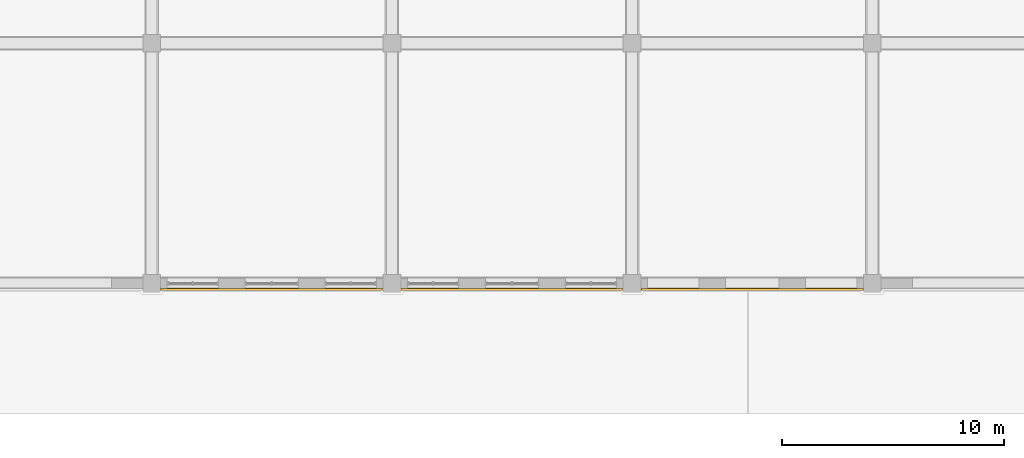
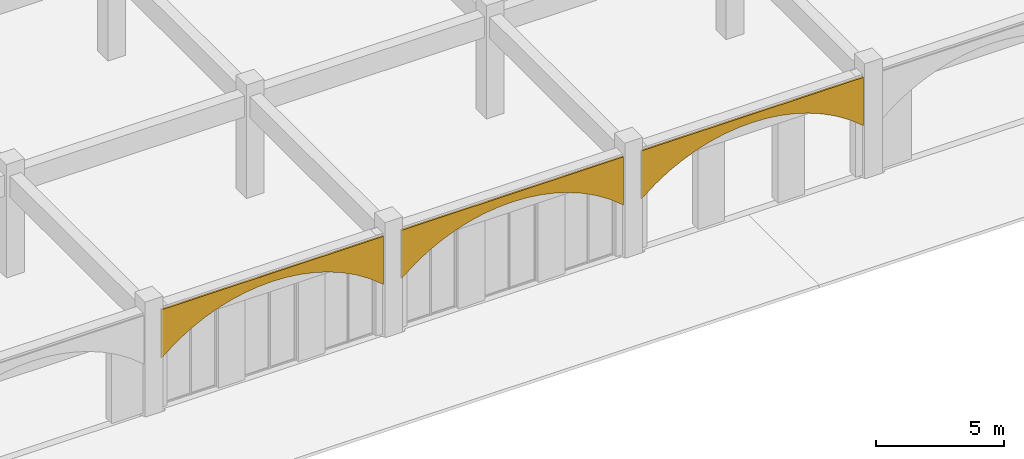
# One storey, part 83 of 101: 3 coverings.
"""IFC4 building model written with IfcOpenShell, lengths in metres."""

from ifc_helpers import new_model, si_unit, direction, frame, origin, place, context, subcontext, project, spatial, polyline, outline, extrude, material, layer, layer_set, type_object, element, save


model = new_model("IFC4")

# Units and contexts
model_context = context("Model", 3, precision=1e-05, world=origin(), true_north=direction((0.0, 1.0)))
body_context = subcontext(model_context, "Body", "Model", "MODEL_VIEW")
ifc_project = project(units=[si_unit("LENGTHUNIT", "METRE"), si_unit("AREAUNIT", "SQUARE_METRE"), si_unit("VOLUMEUNIT", "CUBIC_METRE"), si_unit("PLANEANGLEUNIT", "RADIAN"), si_unit("MASSUNIT", "GRAM", prefix="KILO")], contexts=[model_context])

# Site, building, storey
site_placement = place(None, origin())
site = spatial("IfcSite", under=ifc_project, at=site_placement, CompositionType="ELEMENT")
building_placement = place(site_placement, origin())
building = spatial("IfcBuilding", under=site, at=building_placement, Name="Magnolia Steps Interchange", CompositionType="ELEMENT")
storey_placement = place(building_placement, frame((0.0, 0.0, -5.39990234375)))
storey = spatial("IfcBuildingStorey", under=building, at=storey_placement, Name="B1", CompositionType="ELEMENT", Elevation=-5.39990234375)

# Coverings
ifc_material = material(Name="Lime render")
ifc_layer = layer(ifc_material, 0.080078125)
ifc_layer_set = layer_set([ifc_layer], Name="Lime render arch infill")
covering_type = type_object("IfcCoveringType", Name="Lime render arch infill", PredefinedType="CLADDING", material=ifc_layer_set)
for number, where, z_axis, x_axis, name in (
    (1, (107.60009765625, 9.77490234375, 2.39990234375), (0.0, 1.0, 0.0), (0.0, 0.0, 1.0), "Arch spandrel south edge 7"),
    (2, (118.39990234375, 9.77490234375, 2.39990234375), (0.0, 1.0, 0.0), (0.0, 0.0, 1.0), "Arch spandrel south edge 8"),
    (3, (129.199951171875, 9.77490234375, 2.39990234375), (0.0, 1.0, 0.0), (0.0, 0.0, 1.0), "Arch spandrel south edge 9"),
):
    element("IfcCovering", number, at=place(storey_placement, frame(where, z_axis=z_axis, x_axis=x_axis)), inside=storey, type_object=covering_type, Name=name, PredefinedType="CLADDING", context=body_context, shape_type="SweptSolid", body=[
        extrude(outline(polyline([(0.0, 0.0), (2.300048828, 0.0), (2.300048828, 10.0), (0.0, 10.0), (0.498291016, 9.375), (0.899658203, 8.75), (1.220703125, 8.125), (1.472900391, 7.5), (1.662841797, 6.875), (1.795410156, 6.25), (1.874023438, 5.625), (1.899902344, 5.0), (1.874023438, 4.375), (1.795410156, 3.75), (1.662841797, 3.125), (1.472900391, 2.5), (1.220703125, 1.875), (0.899658203, 1.25), (0.498291016, 0.625), (0.0, 0.0)])), origin(), (0.0, 0.0, -1.0), 0.080078125),
    ])

save(model, "model.ifc")
